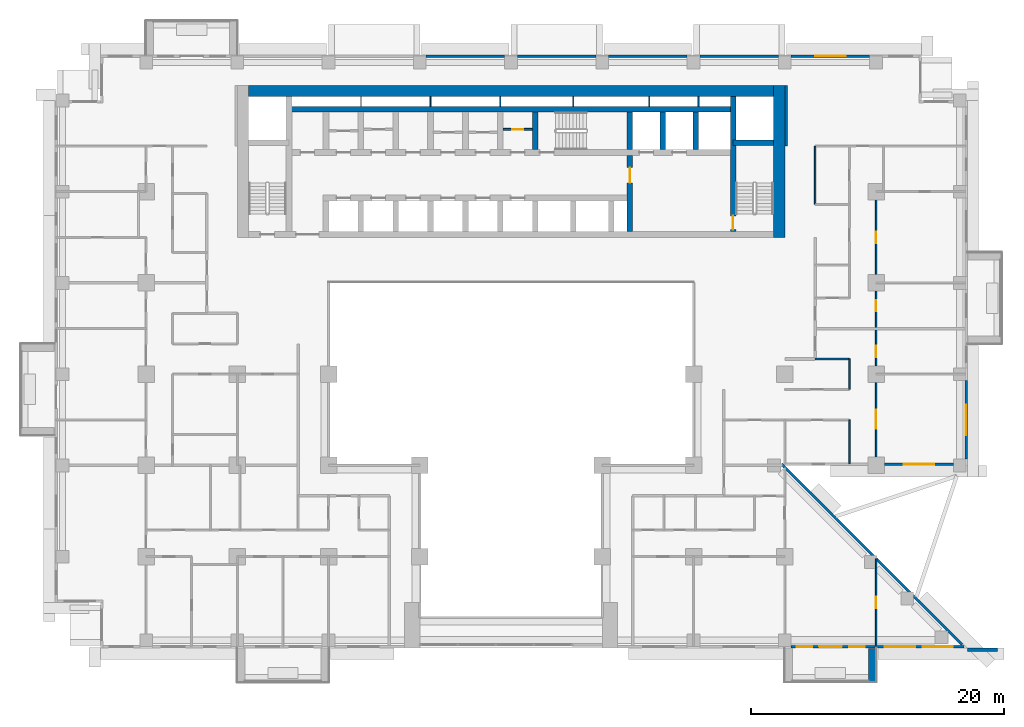
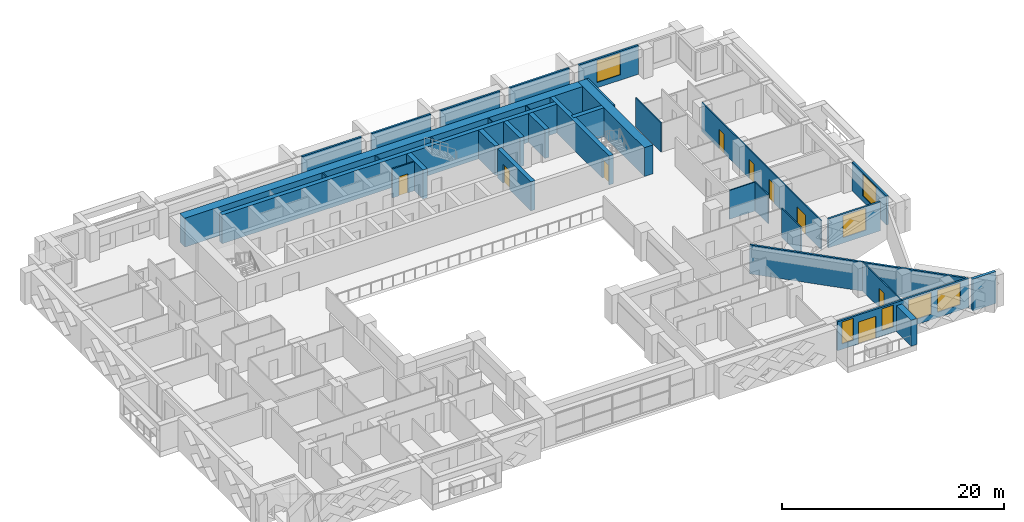
# One storey, part 11 of 16: 34 walls, 9 doors, 7 windows, 16 openings.
"""IFC4 building model written with IfcOpenShell, lengths in metres."""

from ifc_helpers import new_model, si_unit, direction, frame, frame_2d, origin, place, context, subcontext, project, spatial, rectangle, extrude, material, layer, layer_set, type_object, element, fill, save


model = new_model("IFC4")

# Units and contexts
model_context = context("Model", 3, precision=1e-05, world=origin(), true_north=direction((0.0, 1.0)))
body_context = subcontext(model_context, "Body", "Model", "MODEL_VIEW")
ifc_project = project(units=[si_unit("LENGTHUNIT", "METRE"), si_unit("AREAUNIT", "SQUARE_METRE"), si_unit("VOLUMEUNIT", "CUBIC_METRE"), si_unit("PLANEANGLEUNIT", "RADIAN"), si_unit("MASSUNIT", "GRAM", prefix="KILO")], contexts=[model_context])

# Site, building, storey
site_placement = place(None, origin())
site = spatial("IfcSite", under=ifc_project, at=site_placement, CompositionType="ELEMENT")
building_placement = place(site_placement, origin())
building = spatial("IfcBuilding", under=site, at=building_placement, Name="Saffron Iwan Residences", CompositionType="ELEMENT")
storey_placement = place(building_placement, frame((0.0, 0.0, 83.0)))
storey = spatial("IfcBuildingStorey", under=building, at=storey_placement, Name="L21", CompositionType="ELEMENT", Elevation=83.0)

# Wall
ifc_material_1 = material(Name="Concrete C50/60 white painted", Category="concrete")
ifc_layer_1 = layer(ifc_material_1, 0.60009765625)
ifc_layer_set_1 = layer_set([ifc_layer_1], Name="Concrete C50/60 white painted")
wall_type_1 = type_object("IfcWallType", Name="BALCONY FIN 600", PredefinedType="SOLIDWALL", material=ifc_layer_set_1)
wall_1_placement = place(storey_placement, frame((78.89990234375, 33.550048828125, 0.0), z_axis=(0.0, 0.0, 1.0), x_axis=(0.0, -1.0, 0.0)))
element("IfcWall", 1, at=wall_1_placement, inside=storey, type_object=wall_type_1, Name="Balcony fin L21 11-1b", PredefinedType="SOLIDWALL", context=body_context, shape_type="SweptSolid", body=[
    extrude(rectangle(XDim=2.650146484375, YDim=0.60009765625, at=frame_2d((1.3251953125, 0.0))), origin(), (0.0, 0.0, 1.0), 2.85009765625),
])

# Wall, opening, door
ifc_material_2 = material(Name="Fire-rated plasterboard partition")
ifc_layer_2 = layer(ifc_material_2, 0.14990234375)
ifc_layer_set_2 = layer_set([ifc_layer_2], Name="Fire-rated plasterboard partition")
wall_type_2 = type_object("IfcWallType", Name="Core partition 150", PredefinedType="PARTITIONING", material=ifc_layer_set_2)
wall_2_placement = place(storey_placement, frame((49.77490234375, 74.51806640625, 0.0), z_axis=(0.0, 0.0, 1.0), x_axis=(1.0, 0.0, 0.0)))
wall_2 = element("IfcWall", 2, at=wall_2_placement, inside=storey, type_object=wall_type_2, Name="Core partition P05", PredefinedType="PARTITIONING", context=body_context, shape_type="SweptSolid", body=[
    extrude(rectangle(XDim=2.300048828125, YDim=0.14990234375, at=frame_2d((1.14990234375, 0.0))), origin(), (0.0, 0.0, 1.0), 3.179931640625),
])
opening_1_placement = place(wall_2_placement, frame((0.699951171875, 0.0, 0.0)))
opening_1 = element("IfcOpeningElement", 3, at=opening_1_placement, cuts=wall_2, Name="Opening SB", PredefinedType="OPENING", context=body_context, shape_type="SweptSolid", body=[
    extrude(rectangle(XDim=0.89990234375, YDim=2.10009765625, at=frame_2d((0.449951171875, 1.050048828125))), frame((0.0, 0.0849609375, 0.0), z_axis=(0.0, -1.0, 0.0), x_axis=(1.0, 0.0, 0.0)), (0.0, 0.0, 1.0), 0.169921875),
])
ifc_material_3 = material(Name="Steel fire door", Category="steel")
door_type_1 = type_object("IfcDoorType", Name="Store door 900", OperationType="NOTDEFINED", PredefinedType="DOOR", material=ifc_material_3)
door_1_placement = place(opening_1_placement, origin())
door_1 = element("IfcDoor", 4, at=door_1_placement, inside=storey, type_object=door_type_1, Name="Door Tool store", OperationType="SINGLE_SWING_LEFT", OverallHeight=2.10009765625, OverallWidth=0.89990234375, PredefinedType="DOOR", context=body_context, shape_type="SweptSolid", body=[
    extrude(rectangle(XDim=0.89990234375, YDim=2.10009765625, at=frame_2d((0.449951171875, 1.050048828125))), frame((0.0, 0.02490234375, 0.0), z_axis=(0.0, -1.0, 0.0), x_axis=(1.0, 0.0, 0.0)), (0.0, 0.0, 1.0), 0.050048828125),
])
fill(opening_1, door_1)

# Wall
ifc_material_4 = material(Name="Concrete C40/50", Category="concrete")
ifc_layer_3 = layer(ifc_material_4, 0.199951171875)
ifc_layer_set_3 = layer_set([ifc_layer_3], Name="Concrete C40/50")
wall_type_3 = type_object("IfcWallType", Name="EXTERNAL WALL 200", PredefinedType="SOLIDWALL", material=ifc_layer_set_3)
wall_3_placement = place(storey_placement, frame((85.995849609375, 33.862548828125, 0.0), z_axis=(0.0, 0.0, 1.0), x_axis=(-0.707100718496, 0.707112843825, 0.0)))
element("IfcWall", 5, at=wall_3_placement, inside=storey, type_object=wall_type_3, Name="External wall L21 F0.0", PredefinedType="SOLIDWALL", context=body_context, shape_type="SweptSolid", body=[
    extrude(rectangle(XDim=20.134765625, YDim=0.199951171875, at=frame_2d((10.0673828125, 0.0))), origin(), (0.0, 0.0, 1.0), 3.179931640625),
])

# Wall, opening, window
wall_4_placement = place(storey_placement, frame((79.85009765625, 48.10009765625, 0.0), z_axis=(0.0, 0.0, 1.0), x_axis=(1.0, 0.0, 0.0)))
wall_4 = element("IfcWall", 6, at=wall_4_placement, inside=storey, type_object=wall_type_3, Name="External wall L21 F1.1", PredefinedType="SOLIDWALL", context=body_context, shape_type="SweptSolid", body=[
    extrude(rectangle(XDim=5.449951171875, YDim=0.199951171875, at=frame_2d((2.72509765625, 0.0))), origin(), (0.0, 0.0, 1.0), 3.179931640625),
])
opening_2_placement = place(wall_4_placement, frame((1.52490234375, 0.0, 0.60009765625)))
opening_2 = element("IfcOpeningElement", 7, at=opening_2_placement, cuts=wall_4, Name="Opening W1", PredefinedType="OPENING", context=body_context, shape_type="SweptSolid", body=[
    extrude(rectangle(XDim=2.39990234375, YDim=2.39990234375, at=frame_2d((1.199951171875, 1.199951171875))), frame((0.0, 0.10986328125, 0.0), z_axis=(0.0, -1.0, 0.0), x_axis=(1.0, 0.0, 0.0)), (0.0, 0.0, 1.0), 0.219970703125),
])
ifc_material_5 = material(Name="Clear glass, laminated double glazed", Category="glass")
window_type_1 = type_object("IfcWindowType", Name="WINDOW 2400 x 2400", PartitioningType="DOUBLE_PANEL_VERTICAL", PredefinedType="WINDOW", material=ifc_material_5)
window_1_placement = place(opening_2_placement, origin())
window_1 = element("IfcWindow", 8, at=window_1_placement, inside=storey, type_object=window_type_1, Name="Window L21 F1.0", OverallHeight=2.39990234375, OverallWidth=2.39990234375, PartitioningType="DOUBLE_PANEL_VERTICAL", PredefinedType="WINDOW", context=body_context, shape_type="SweptSolid", body=[
    extrude(rectangle(XDim=2.39990234375, YDim=2.39990234375, at=frame_2d((1.199951171875, 1.199951171875))), frame((0.0, 0.030029296875, 0.0), z_axis=(0.0, -1.0, 0.0), x_axis=(1.0, 0.0, 0.0)), (0.0, 0.0, 1.0), 0.06005859375),
])
fill(opening_2, window_1)

wall_5_placement = place(storey_placement, frame((86.300048828125, 48.5, 0.0), z_axis=(0.0, 0.0, 1.0), x_axis=(0.0, 1.0, 0.0)))
wall_5 = element("IfcWall", 9, at=wall_5_placement, inside=storey, type_object=wall_type_3, Name="External wall L21 F2.0", PredefinedType="SOLIDWALL", context=body_context, shape_type="SweptSolid", body=[
    extrude(rectangle(XDim=6.199951171875, YDim=0.199951171875, at=frame_2d((3.10009765625, 0.0))), origin(), (0.0, 0.0, 1.0), 3.179931640625),
])
opening_3_placement = place(wall_5_placement, frame((1.89990234375, 0.0, 0.60009765625)))
opening_3 = element("IfcOpeningElement", 10, at=opening_3_placement, cuts=wall_5, Name="Opening W1", PredefinedType="OPENING", context=body_context, shape_type="SweptSolid", body=[
    extrude(rectangle(XDim=2.39990234375, YDim=2.39990234375, at=frame_2d((1.199951171875, 1.199951171875))), frame((0.0, 0.10986328125, 0.0), z_axis=(0.0, -1.0, 0.0), x_axis=(1.0, 0.0, 0.0)), (0.0, 0.0, 1.0), 0.219970703125),
])
window_2_placement = place(opening_3_placement, origin())
window_2 = element("IfcWindow", 11, at=window_2_placement, inside=storey, type_object=window_type_1, Name="Window L21 F2.0", OverallHeight=2.39990234375, OverallWidth=2.39990234375, PartitioningType="DOUBLE_PANEL_VERTICAL", PredefinedType="WINDOW", context=body_context, shape_type="SweptSolid", body=[
    extrude(rectangle(XDim=2.39990234375, YDim=2.39990234375, at=frame_2d((1.199951171875, 1.199951171875))), frame((0.0, 0.030029296875, 0.0), z_axis=(0.0, -1.0, 0.0), x_axis=(1.0, 0.0, 0.0)), (0.0, 0.0, 1.0), 0.06005859375),
])
fill(opening_3, window_2)

wall_6_placement = place(storey_placement, frame((78.699951171875, 80.300048828125, 0.0), z_axis=(0.0, 0.0, 1.0), x_axis=(-1.0, 0.0, 0.0)))
wall_6 = element("IfcWall", 12, at=wall_6_placement, inside=storey, type_object=wall_type_3, Name="External wall L21 F5.1", PredefinedType="SOLIDWALL", context=body_context, shape_type="SweptSolid", body=[
    extrude(rectangle(XDim=6.199951171875, YDim=0.199951171875, at=frame_2d((3.10009765625, 0.0))), origin(), (0.0, 0.0, 1.0), 3.179931640625),
])
opening_4_placement = place(wall_6_placement, frame((1.89990234375, 0.0, 0.60009765625)))
opening_4 = element("IfcOpeningElement", 13, at=opening_4_placement, cuts=wall_6, Name="Opening W1", PredefinedType="OPENING", context=body_context, shape_type="SweptSolid", body=[
    extrude(rectangle(XDim=2.39990234375, YDim=2.39990234375, at=frame_2d((1.199951171875, 1.199951171875))), frame((0.0, 0.10986328125, 0.0), z_axis=(0.0, -1.0, 0.0), x_axis=(1.0, 0.0, 0.0)), (0.0, 0.0, 1.0), 0.219970703125),
])
window_3_placement = place(opening_4_placement, origin())
window_3 = element("IfcWindow", 14, at=window_3_placement, inside=storey, type_object=window_type_1, Name="Window L21 F5.0", OverallHeight=2.39990234375, OverallWidth=2.39990234375, PartitioningType="DOUBLE_PANEL_VERTICAL", PredefinedType="WINDOW", context=body_context, shape_type="SweptSolid", body=[
    extrude(rectangle(XDim=2.39990234375, YDim=2.39990234375, at=frame_2d((1.199951171875, 1.199951171875))), frame((0.0, 0.030029296875, 0.0), z_axis=(0.0, -1.0, 0.0), x_axis=(1.0, 0.0, 0.0)), (0.0, 0.0, 1.0), 0.06005859375),
])
fill(opening_4, window_3)

# Walls
for number, where, z_axis, x_axis, name in (
    (15, (71.5, 80.300048828125, 0.0), (0.0, 0.0, 1.0), (-1.0, 0.0, 0.0), "External wall L21 F5.2"),
    (16, (64.300048828125, 80.300048828125, 0.0), (0.0, 0.0, 1.0), (-1.0, 0.0, 0.0), "External wall L21 F5.3"),
):
    element("IfcWall", number, at=place(storey_placement, frame(where, z_axis=z_axis, x_axis=x_axis)), inside=storey, type_object=wall_type_3, Name=name, PredefinedType="SOLIDWALL", context=body_context, shape_type="SweptSolid", body=[
        extrude(rectangle(XDim=6.199951171875, YDim=0.199951171875, at=frame_2d((3.10009765625, 0.0))), origin(), (0.0, 0.0, 1.0), 3.179931640625),
    ])
wall_7_placement = place(storey_placement, frame((57.10009765625, 80.300048828125, 0.0), z_axis=(0.0, 0.0, 1.0), x_axis=(-1.0, 0.0, 0.0)))
element("IfcWall", 17, at=wall_7_placement, inside=storey, type_object=wall_type_3, Name="External wall L21 F5.4", PredefinedType="SOLIDWALL", context=body_context, shape_type="SweptSolid", body=[
    extrude(rectangle(XDim=6.2001953125, YDim=0.199951171875, at=frame_2d((3.10009765625, 0.0))), origin(), (0.0, 0.0, 1.0), 3.179931640625),
])
wall_8_placement = place(storey_placement, frame((49.89990234375, 80.300048828125, 0.0), z_axis=(0.0, 0.0, 1.0), x_axis=(-1.0, 0.0, 0.0)))
element("IfcWall", 18, at=wall_8_placement, inside=storey, type_object=wall_type_3, Name="External wall L21 F5.5", PredefinedType="SOLIDWALL", context=body_context, shape_type="SweptSolid", body=[
    extrude(rectangle(XDim=6.199951171875, YDim=0.199951171875, at=frame_2d((3.10009765625, 0.0))), origin(), (0.0, 0.0, 1.0), 3.179931640625),
])

# Wall, openings, door, windows
wall_9_placement = place(storey_placement, frame((72.5, 33.699951171875, 0.0), z_axis=(0.0, 0.0, 1.0), x_axis=(1.0, 0.0, 0.0)))
wall_9 = element("IfcWall", 19, at=wall_9_placement, inside=storey, type_object=wall_type_3, Name="External wall L21 F11.6", PredefinedType="SOLIDWALL", context=body_context, shape_type="SweptSolid", body=[
    extrude(rectangle(XDim=13.65869140625, YDim=0.199951171875, at=frame_2d((6.829345703125, 0.0))), origin(), (0.0, 0.0, 1.0), 3.179931640625),
])
opening_5_placement = place(wall_9_placement, frame((2.199951171875, 0.0, 0.0)))
opening_5 = element("IfcOpeningElement", 20, at=opening_5_placement, cuts=wall_9, Name="Opening BD1", PredefinedType="OPENING", context=body_context, shape_type="SweptSolid", body=[
    extrude(rectangle(XDim=1.800048828125, YDim=2.39990234375, at=frame_2d((0.89990234375, 1.199951171875))), frame((0.0, 0.10986328125, 0.0), z_axis=(0.0, -1.0, 0.0), x_axis=(1.0, 0.0, 0.0)), (0.0, 0.0, 1.0), 0.219970703125),
])
opening_6_placement = place(wall_9_placement, frame((0.449951171875, 0.0, 0.60009765625)))
opening_6 = element("IfcOpeningElement", 21, at=opening_6_placement, cuts=wall_9, Name="Opening W3", PredefinedType="OPENING", context=body_context, shape_type="SweptSolid", body=[
    extrude(rectangle(XDim=1.199951171875, YDim=2.39990234375, at=frame_2d((0.60009765625, 1.199951171875))), frame((0.0, 0.10986328125, 0.0), z_axis=(0.0, -1.0, 0.0), x_axis=(1.0, 0.0, 0.0)), (0.0, 0.0, 1.0), 0.219970703125),
])
opening_7_placement = place(wall_9_placement, frame((4.60009765625, 0.0, 0.60009765625)))
opening_7 = element("IfcOpeningElement", 22, at=opening_7_placement, cuts=wall_9, Name="Opening W3", PredefinedType="OPENING", context=body_context, shape_type="SweptSolid", body=[
    extrude(rectangle(XDim=1.199951171875, YDim=2.39990234375, at=frame_2d((0.60009765625, 1.199951171875))), frame((0.0, 0.10986328125, 0.0), z_axis=(0.0, -1.0, 0.0), x_axis=(1.0, 0.0, 0.0)), (0.0, 0.0, 1.0), 0.219970703125),
])
opening_8_placement = place(wall_9_placement, frame((7.38623046875, 0.0, 0.60009765625)))
opening_8 = element("IfcOpeningElement", 23, at=opening_8_placement, cuts=wall_9, Name="Opening W1", PredefinedType="OPENING", context=body_context, shape_type="SweptSolid", body=[
    extrude(rectangle(XDim=2.39990234375, YDim=2.39990234375, at=frame_2d((1.199951171875, 1.199951171875))), frame((0.0, 0.10986328125, 0.0), z_axis=(0.0, -1.0, 0.0), x_axis=(1.0, 0.0, 0.0)), (0.0, 0.0, 1.0), 0.219970703125),
])
opening_9_placement = place(wall_9_placement, frame((10.372314453125, 0.0, 0.60009765625)))
opening_9 = element("IfcOpeningElement", 24, at=opening_9_placement, cuts=wall_9, Name="Opening W1", PredefinedType="OPENING", context=body_context, shape_type="SweptSolid", body=[
    extrude(rectangle(XDim=2.39990234375, YDim=2.39990234375, at=frame_2d((1.199951171875, 1.199951171875))), frame((0.0, 0.10986328125, 0.0), z_axis=(0.0, -1.0, 0.0), x_axis=(1.0, 0.0, 0.0)), (0.0, 0.0, 1.0), 0.219970703125),
])
door_type_2 = type_object("IfcDoorType", Name="BALCONY DOOR 1800 x 2400", OperationType="DOUBLE_DOOR_SLIDING", PredefinedType="DOOR", material=ifc_material_5)
door_2_placement = place(opening_5_placement, origin())
door_2 = element("IfcDoor", 25, at=door_2_placement, inside=storey, type_object=door_type_2, Name="Balcony door L21 F11.0", OperationType="DOUBLE_DOOR_SLIDING", OverallHeight=2.39990234375, OverallWidth=1.800048828125, PredefinedType="DOOR", context=body_context, shape_type="SweptSolid", body=[
    extrude(rectangle(XDim=1.800048828125, YDim=2.39990234375, at=frame_2d((0.89990234375, 1.199951171875))), frame((0.0, 0.02490234375, 0.0), z_axis=(0.0, -1.0, 0.0), x_axis=(1.0, 0.0, 0.0)), (0.0, 0.0, 1.0), 0.050048828125),
])
fill(opening_5, door_2)
window_type_2 = type_object("IfcWindowType", Name="WINDOW 1200 x 2400", PartitioningType="SINGLE_PANEL", PredefinedType="WINDOW", material=ifc_material_5)
window_4_placement = place(opening_6_placement, origin())
window_4 = element("IfcWindow", 26, at=window_4_placement, inside=storey, type_object=window_type_2, Name="Window L21 F11.1", OverallHeight=2.39990234375, OverallWidth=1.199951171875, PartitioningType="SINGLE_PANEL", PredefinedType="WINDOW", context=body_context, shape_type="SweptSolid", body=[
    extrude(rectangle(XDim=1.199951171875, YDim=2.39990234375, at=frame_2d((0.60009765625, 1.199951171875))), frame((0.0, 0.030029296875, 0.0), z_axis=(0.0, -1.0, 0.0), x_axis=(1.0, 0.0, 0.0)), (0.0, 0.0, 1.0), 0.06005859375),
])
fill(opening_6, window_4)
window_5_placement = place(opening_7_placement, origin())
window_5 = element("IfcWindow", 27, at=window_5_placement, inside=storey, type_object=window_type_2, Name="Window L21 F11.2", OverallHeight=2.39990234375, OverallWidth=1.199951171875, PartitioningType="SINGLE_PANEL", PredefinedType="WINDOW", context=body_context, shape_type="SweptSolid", body=[
    extrude(rectangle(XDim=1.199951171875, YDim=2.39990234375, at=frame_2d((0.60009765625, 1.199951171875))), frame((0.0, 0.030029296875, 0.0), z_axis=(0.0, -1.0, 0.0), x_axis=(1.0, 0.0, 0.0)), (0.0, 0.0, 1.0), 0.06005859375),
])
fill(opening_7, window_5)
window_6_placement = place(opening_8_placement, origin())
window_6 = element("IfcWindow", 28, at=window_6_placement, inside=storey, type_object=window_type_1, Name="Window L21 F11.3", OverallHeight=2.39990234375, OverallWidth=2.39990234375, PartitioningType="DOUBLE_PANEL_VERTICAL", PredefinedType="WINDOW", context=body_context, shape_type="SweptSolid", body=[
    extrude(rectangle(XDim=2.39990234375, YDim=2.39990234375, at=frame_2d((1.199951171875, 1.199951171875))), frame((0.0, 0.030029296875, 0.0), z_axis=(0.0, -1.0, 0.0), x_axis=(1.0, 0.0, 0.0)), (0.0, 0.0, 1.0), 0.06005859375),
])
fill(opening_8, window_6)
window_7_placement = place(opening_9_placement, origin())
window_7 = element("IfcWindow", 29, at=window_7_placement, inside=storey, type_object=window_type_1, Name="Window L21 F11.4", OverallHeight=2.39990234375, OverallWidth=2.39990234375, PartitioningType="DOUBLE_PANEL_VERTICAL", PredefinedType="WINDOW", context=body_context, shape_type="SweptSolid", body=[
    extrude(rectangle(XDim=2.39990234375, YDim=2.39990234375, at=frame_2d((1.199951171875, 1.199951171875))), frame((0.0, 0.030029296875, 0.0), z_axis=(0.0, -1.0, 0.0), x_axis=(1.0, 0.0, 0.0)), (0.0, 0.0, 1.0), 0.06005859375),
])
fill(opening_9, window_7)

# Walls
ifc_material_6 = material(Name="Gypsum board partition")
ifc_layer_4 = layer(ifc_material_6, 0.1201171875)
ifc_layer_set_4 = layer_set([ifc_layer_4], Name="Gypsum board partition")
wall_type_4 = type_object("IfcWallType", Name="Flat partition 120", PredefinedType="PARTITIONING", material=ifc_layer_set_4)
wall_10_placement = place(storey_placement, frame((74.39990234375, 56.39990234375, 0.0), z_axis=(0.0, 0.0, 1.0), x_axis=(1.0, 0.0, 0.0)))
element("IfcWall", 30, at=wall_10_placement, inside=storey, type_object=wall_type_4, Name="W-L21-PART-h56.4-74.4", PredefinedType="PARTITIONING", context=body_context, shape_type="SweptSolid", body=[
    extrude(rectangle(XDim=2.7001953125, YDim=0.1201171875, at=frame_2d((1.35009765625, 0.0))), origin(), (0.0, 0.0, 1.0), 3.179931640625),
])
wall_11_placement = place(storey_placement, frame((74.39990234375, 68.60009765625, 0.0), z_axis=(0.0, 0.0, 1.0), x_axis=(0.0, 1.0, 0.0)))
element("IfcWall", 31, at=wall_11_placement, inside=storey, type_object=wall_type_4, Name="W-L21-PART-v74.4-68.6", PredefinedType="PARTITIONING", context=body_context, shape_type="SweptSolid", body=[
    extrude(rectangle(XDim=4.599853515625, YDim=0.1201171875, at=frame_2d((2.2998046875, 0.0))), origin(), (0.0, 0.0, 1.0), 3.179931640625),
])
wall_12_placement = place(storey_placement, frame((77.10009765625, 48.125, 0.0), z_axis=(0.0, 0.0, 1.0), x_axis=(0.0, 1.0, 0.0)))
element("IfcWall", 32, at=wall_12_placement, inside=storey, type_object=wall_type_4, Name="W-L21-PART-v77.1-48.125", PredefinedType="PARTITIONING", context=body_context, shape_type="SweptSolid", body=[
    extrude(rectangle(XDim=3.47509765625, YDim=0.1201171875, at=frame_2d((1.737548828125, 0.0))), origin(), (0.0, 0.0, 1.0), 3.179931640625),
])
wall_13_placement = place(storey_placement, frame((77.10009765625, 54.0, 0.0), z_axis=(0.0, 0.0, 1.0), x_axis=(0.0, 1.0, 0.0)))
element("IfcWall", 33, at=wall_13_placement, inside=storey, type_object=wall_type_4, Name="W-L21-PART-v77.1-54", PredefinedType="PARTITIONING", context=body_context, shape_type="SweptSolid", body=[
    extrude(rectangle(XDim=2.39990234375, YDim=0.1201171875, at=frame_2d((1.199951171875, 0.0))), origin(), (0.0, 0.0, 1.0), 3.179931640625),
])

# Wall, opening, door
wall_14_placement = place(storey_placement, frame((79.199951171875, 33.72509765625, 0.0), z_axis=(0.0, 0.0, 1.0), x_axis=(0.0, 1.0, 0.0)))
wall_14 = element("IfcWall", 34, at=wall_14_placement, inside=storey, type_object=wall_type_4, Name="W-L21-PART-v79.2-33.725", PredefinedType="PARTITIONING", context=body_context, shape_type="SweptSolid", body=[
    extrude(rectangle(XDim=6.89794921875, YDim=0.1201171875, at=frame_2d((3.448974609375, 0.0))), origin(), (0.0, 0.0, 1.0), 3.179931640625),
])
opening_10_placement = place(wall_14_placement, frame((2.9990234375, 0.0, 0.0)))
opening_10 = element("IfcOpeningElement", 35, at=opening_10_placement, cuts=wall_14, Name="Opening FD2", PredefinedType="OPENING", context=body_context, shape_type="SweptSolid", body=[
    extrude(rectangle(XDim=0.89990234375, YDim=2.10009765625, at=frame_2d((0.449951171875, 1.050048828125))), frame((0.0, 0.070068359375, 0.0), z_axis=(0.0, -1.0, 0.0), x_axis=(1.0, 0.0, 0.0)), (0.0, 0.0, 1.0), 0.14013671875),
])
ifc_material_7 = material(Name="Timber door", Category="wood")
door_type_3 = type_object("IfcDoorType", Name="Flat door 900", OperationType="NOTDEFINED", PredefinedType="DOOR", material=ifc_material_7)
door_3_placement = place(opening_10_placement, origin())
door_3 = element("IfcDoor", 36, at=door_3_placement, inside=storey, type_object=door_type_3, Name="Door L21-050", OperationType="SINGLE_SWING_LEFT", OverallHeight=2.10009765625, OverallWidth=0.89990234375, PredefinedType="DOOR", context=body_context, shape_type="SweptSolid", body=[
    extrude(rectangle(XDim=0.89990234375, YDim=2.10009765625, at=frame_2d((0.449951171875, 1.050048828125))), frame((0.0, 0.02490234375, 0.0), z_axis=(0.0, -1.0, 0.0), x_axis=(1.0, 0.0, 0.0)), (0.0, 0.0, 1.0), 0.050048828125),
])
fill(opening_10, door_3)

# Wall, openings, doors
wall_15_placement = place(storey_placement, frame((79.199951171875, 48.125, 0.0), z_axis=(0.0, 0.0, 1.0), x_axis=(0.0, 1.0, 0.0)))
wall_15 = element("IfcWall", 37, at=wall_15_placement, inside=storey, type_object=wall_type_4, Name="W-L21-PART-v79.2-48.125", PredefinedType="PARTITIONING", context=body_context, shape_type="SweptSolid", body=[
    extrude(rectangle(XDim=21.47509765625, YDim=0.1201171875, at=frame_2d((10.737548828125, 0.0))), origin(), (0.0, 0.0, 1.0), 3.179931640625),
])
opening_11_placement = place(wall_15_placement, frame((2.78759765625, 0.0, 0.0)))
opening_11 = element("IfcOpeningElement", 38, at=opening_11_placement, cuts=wall_15, Name="Opening FD4", PredefinedType="OPENING", context=body_context, shape_type="SweptSolid", body=[
    extrude(rectangle(XDim=1.5, YDim=2.10009765625, at=frame_2d((0.75, 1.050048828125))), frame((0.0, 0.070068359375, 0.0), z_axis=(0.0, -1.0, 0.0), x_axis=(1.0, 0.0, 0.0)), (0.0, 0.0, 1.0), 0.14013671875),
])
opening_12_placement = place(wall_15_placement, frame((8.425048828125, 0.0, 0.0)))
opening_12 = element("IfcOpeningElement", 39, at=opening_12_placement, cuts=wall_15, Name="Opening FD2", PredefinedType="OPENING", context=body_context, shape_type="SweptSolid", body=[
    extrude(rectangle(XDim=0.89990234375, YDim=2.10009765625, at=frame_2d((0.449951171875, 1.050048828125))), frame((0.0, 0.070068359375, 0.0), z_axis=(0.0, -1.0, 0.0), x_axis=(1.0, 0.0, 0.0)), (0.0, 0.0, 1.0), 0.14013671875),
])
opening_13_placement = place(wall_15_placement, frame((12.02490234375, 0.0, 0.0)))
opening_13 = element("IfcOpeningElement", 40, at=opening_13_placement, cuts=wall_15, Name="Opening FD2", PredefinedType="OPENING", context=body_context, shape_type="SweptSolid", body=[
    extrude(rectangle(XDim=0.89990234375, YDim=2.10009765625, at=frame_2d((0.449951171875, 1.050048828125))), frame((0.0, 0.070068359375, 0.0), z_axis=(0.0, -1.0, 0.0), x_axis=(1.0, 0.0, 0.0)), (0.0, 0.0, 1.0), 0.14013671875),
])
opening_14_placement = place(wall_15_placement, frame((17.425048828125, 0.0, 0.0)))
opening_14 = element("IfcOpeningElement", 41, at=opening_14_placement, cuts=wall_15, Name="Opening FD2", PredefinedType="OPENING", context=body_context, shape_type="SweptSolid", body=[
    extrude(rectangle(XDim=0.89990234375, YDim=2.10009765625, at=frame_2d((0.449951171875, 1.050048828125))), frame((0.0, 0.070068359375, 0.0), z_axis=(0.0, -1.0, 0.0), x_axis=(1.0, 0.0, 0.0)), (0.0, 0.0, 1.0), 0.14013671875),
])
door_type_4 = type_object("IfcDoorType", Name="Double door 1500", OperationType="NOTDEFINED", PredefinedType="DOOR", material=ifc_material_7)
door_4_placement = place(opening_11_placement, origin())
door_4 = element("IfcDoor", 42, at=door_4_placement, inside=storey, type_object=door_type_4, Name="Door L21-022", OperationType="SINGLE_SWING_RIGHT", OverallHeight=2.10009765625, OverallWidth=1.5, PredefinedType="DOOR", context=body_context, shape_type="SweptSolid", body=[
    extrude(rectangle(XDim=1.5, YDim=2.10009765625, at=frame_2d((0.75, 1.050048828125))), frame((0.0, 0.02490234375, 0.0), z_axis=(0.0, -1.0, 0.0), x_axis=(1.0, 0.0, 0.0)), (0.0, 0.0, 1.0), 0.050048828125),
])
fill(opening_11, door_4)
door_5_placement = place(opening_12_placement, origin())
door_5 = element("IfcDoor", 43, at=door_5_placement, inside=storey, type_object=door_type_3, Name="Door L21-023", OperationType="SINGLE_SWING_LEFT", OverallHeight=2.10009765625, OverallWidth=0.89990234375, PredefinedType="DOOR", context=body_context, shape_type="SweptSolid", body=[
    extrude(rectangle(XDim=0.89990234375, YDim=2.10009765625, at=frame_2d((0.449951171875, 1.050048828125))), frame((0.0, 0.02490234375, 0.0), z_axis=(0.0, -1.0, 0.0), x_axis=(1.0, 0.0, 0.0)), (0.0, 0.0, 1.0), 0.050048828125),
])
fill(opening_12, door_5)
door_6_placement = place(opening_13_placement, origin())
door_6 = element("IfcDoor", 44, at=door_6_placement, inside=storey, type_object=door_type_3, Name="Door L21-035", OperationType="SINGLE_SWING_LEFT", OverallHeight=2.10009765625, OverallWidth=0.89990234375, PredefinedType="DOOR", context=body_context, shape_type="SweptSolid", body=[
    extrude(rectangle(XDim=0.89990234375, YDim=2.10009765625, at=frame_2d((0.449951171875, 1.050048828125))), frame((0.0, 0.02490234375, 0.0), z_axis=(0.0, -1.0, 0.0), x_axis=(1.0, 0.0, 0.0)), (0.0, 0.0, 1.0), 0.050048828125),
])
fill(opening_13, door_6)
door_7_placement = place(opening_14_placement, origin())
door_7 = element("IfcDoor", 45, at=door_7_placement, inside=storey, type_object=door_type_3, Name="Door L21-036", OperationType="SINGLE_SWING_LEFT", OverallHeight=2.10009765625, OverallWidth=0.89990234375, PredefinedType="DOOR", context=body_context, shape_type="SweptSolid", body=[
    extrude(rectangle(XDim=0.89990234375, YDim=2.10009765625, at=frame_2d((0.449951171875, 1.050048828125))), frame((0.0, 0.02490234375, 0.0), z_axis=(0.0, -1.0, 0.0), x_axis=(1.0, 0.0, 0.0)), (0.0, 0.0, 1.0), 0.050048828125),
])
fill(opening_14, door_7)

# Walls
ifc_material_8 = material(Name="Fire-rated gypsum board wall")
ifc_layer_5 = layer(ifc_material_8, 0.199951171875)
ifc_layer_set_5 = layer_set([ifc_layer_5], Name="Fire-rated gypsum board wall")
wall_type_5 = type_object("IfcWallType", Name="Gallery wall 200", PredefinedType="SOLIDWALL", material=ifc_layer_set_5)
wall_16_placement = place(storey_placement, frame((72.10009765625, 73.199951171875, 0.0), z_axis=(0.0, 0.0, 1.0), x_axis=(0.0, 1.0, 0.0)))
element("IfcWall", 46, at=wall_16_placement, inside=storey, type_object=wall_type_5, Name="W-L21-CORR-v72-73.2", PredefinedType="SOLIDWALL", context=body_context, shape_type="SweptSolid", body=[
    extrude(rectangle(XDim=4.800048828125, YDim=0.199951171875, at=frame_2d((2.39990234375, 0.0))), origin(), (0.0, 0.0, 1.0), 3.179931640625),
])
ifc_layer_6 = layer(ifc_material_1, 0.300048828125)
ifc_layer_set_6 = layer_set([ifc_layer_6], Name="Concrete C50/60 white painted")
wall_type_6 = type_object("IfcWallType", Name="PROW BLADE 300", PredefinedType="SOLIDWALL", material=ifc_layer_set_6)
wall_17_placement = place(storey_placement, frame((86.39990234375, 33.449951171875, -0.320068359375), z_axis=(0.0, 0.0, 1.0), x_axis=(1.0, 0.0, 0.0)))
element("IfcWall", 47, at=wall_17_placement, inside=storey, type_object=wall_type_6, Name="Prow blade L21", PredefinedType="SOLIDWALL", context=body_context, shape_type="SweptSolid", body=[
    extrude(rectangle(XDim=2.400146484375, YDim=0.300048828125, at=frame_2d((1.2001953125, 0.0))), origin(), (0.0, 0.0, 1.0), 3.5),
])
ifc_layer_7 = layer(ifc_material_2, 0.10009765625)
ifc_layer_set_7 = layer_set([ifc_layer_7], Name="Fire-rated plasterboard partition")
wall_type_7 = type_object("IfcWallType", Name="Riser partition 100", PredefinedType="PARTITIONING", material=ifc_layer_set_7)
for number, where, z_axis, x_axis, name in (
    (48, (44.050048828125, 76.324951171875, 0.0), (0.0, 0.0, 1.0), (0.0, 1.0, 0.0), "Core partition P07"),
    (49, (49.550048828125, 76.324951171875, 0.0), (0.0, 0.0, 1.0), (0.0, 1.0, 0.0), "Core partition P08"),
    (50, (55.300048828125, 76.324951171875, 0.0), (0.0, 0.0, 1.0), (0.0, 1.0, 0.0), "Core partition P09"),
    (51, (61.300048828125, 76.324951171875, 0.0), (0.0, 0.0, 1.0), (0.0, 1.0, 0.0), "Core partition P10"),
    (52, (65.199951171875, 76.324951171875, 0.0), (0.0, 0.0, 1.0), (0.0, 1.0, 0.0), "Core partition P11"),
):
    element("IfcWall", number, at=place(storey_placement, frame(where, z_axis=z_axis, x_axis=x_axis)), inside=storey, type_object=wall_type_7, Name=name, PredefinedType="PARTITIONING", context=body_context, shape_type="SweptSolid", body=[
        extrude(rectangle(XDim=0.775146484375, YDim=0.10009765625, at=frame_2d((0.3876953125, 0.0))), origin(), (0.0, 0.0, 1.0), 3.179931640625),
    ])
ifc_material_9 = material(Name="Concrete C60/75", Category="concrete")
ifc_layer_8 = layer(ifc_material_9, 0.449951171875)
ifc_layer_set_8 = layer_set([ifc_layer_8], Name="Concrete C60/75")
wall_type_8 = type_object("IfcWallType", Name="WALL CORE 450 C60/75 3180 HIGH", PredefinedType="SHEAR", material=ifc_layer_set_8)
wall_18_placement = place(storey_placement, frame((32.875, 76.10009765625, 0.0), z_axis=(0.0, 0.0, 1.0), x_axis=(1.0, 0.0, 0.0)))
element("IfcWall", 53, at=wall_18_placement, inside=storey, type_object=wall_type_8, Name="Core wall", PredefinedType="SHEAR", context=body_context, shape_type="SweptSolid", body=[
    extrude(rectangle(XDim=35.050048828125, YDim=0.449951171875, at=frame_2d((17.52490234375, 0.0))), origin(), (0.0, 0.0, 1.0), 3.179931640625),
])
wall_19_placement = place(storey_placement, frame((67.925048828125, 73.47509765625, 0.0), z_axis=(0.0, 0.0, 1.0), x_axis=(1.0, 0.0, 0.0)))
element("IfcWall", 54, at=wall_19_placement, inside=storey, type_object=wall_type_8, Name="Core wall", PredefinedType="SHEAR", context=body_context, shape_type="SweptSolid", body=[
    extrude(rectangle(XDim=3.175048828125, YDim=0.449951171875, at=frame_2d((1.58740234375, 0.0))), origin(), (0.0, 0.0, 1.0), 3.179931640625),
])

# Wall, opening, door
wall_20_placement = place(storey_placement, frame((67.925048828125, 66.449951171875, 0.0), z_axis=(0.0, 0.0, 1.0), x_axis=(0.0, 1.0, 0.0)))
wall_20 = element("IfcWall", 55, at=wall_20_placement, inside=storey, type_object=wall_type_8, Name="Core wall", PredefinedType="SHEAR", context=body_context, shape_type="SweptSolid", body=[
    extrude(rectangle(XDim=10.650146484375, YDim=0.449951171875, at=frame_2d((5.3251953125, 0.0))), origin(), (0.0, 0.0, 1.0), 3.179931640625),
])
opening_15_placement = place(wall_20_placement, frame((0.14990234375, 0.0, 0.0)))
opening_15 = element("IfcOpeningElement", 56, at=opening_15_placement, cuts=wall_20, Name="Opening SD", PredefinedType="OPENING", context=body_context, shape_type="SweptSolid", body=[
    extrude(rectangle(XDim=1.10009765625, YDim=2.10009765625, at=frame_2d((0.550048828125, 1.050048828125))), frame((0.0, 0.23486328125, 0.0), z_axis=(0.0, -1.0, 0.0), x_axis=(1.0, 0.0, 0.0)), (0.0, 0.0, 1.0), 0.469970703125),
])
door_type_5 = type_object("IfcDoorType", Name="Stair door 1100", OperationType="NOTDEFINED", PredefinedType="DOOR", material=ifc_material_3)
door_8_placement = place(opening_15_placement, origin())
door_8 = element("IfcDoor", 57, at=door_8_placement, inside=storey, type_object=door_type_5, Name="Stair door ST-E", OperationType="SINGLE_SWING_LEFT", OverallHeight=2.10009765625, OverallWidth=1.10009765625, PredefinedType="DOOR", context=body_context, shape_type="SweptSolid", body=[
    extrude(rectangle(XDim=1.10009765625, YDim=2.10009765625, at=frame_2d((0.550048828125, 1.050048828125))), frame((0.0, 0.02490234375, 0.0), z_axis=(0.0, -1.0, 0.0), x_axis=(1.0, 0.0, 0.0)), (0.0, 0.0, 1.0), 0.050048828125),
])
fill(opening_15, door_8)

wall_21_placement = place(storey_placement, frame((59.77490234375, 66.449951171875, 0.0), z_axis=(0.0, 0.0, 1.0), x_axis=(0.0, 1.0, 0.0)))
wall_21 = element("IfcWall", 58, at=wall_21_placement, inside=storey, type_object=wall_type_8, Name="Core wall", PredefinedType="SHEAR", context=body_context, shape_type="SweptSolid", body=[
    extrude(rectangle(XDim=6.025146484375, YDim=0.449951171875, at=frame_2d((3.0126953125, 0.0))), origin(), (0.0, 0.0, 1.0), 3.179931640625),
])
opening_16_placement = place(wall_21_placement, frame((3.85009765625, 0.0, 0.0)))
opening_16 = element("IfcOpeningElement", 59, at=opening_16_placement, cuts=wall_21, Name="Opening FD", PredefinedType="OPENING", context=body_context, shape_type="SweptSolid", body=[
    extrude(rectangle(XDim=1.199951171875, YDim=2.10009765625, at=frame_2d((0.60009765625, 1.050048828125))), frame((0.0, 0.23486328125, 0.0), z_axis=(0.0, -1.0, 0.0), x_axis=(1.0, 0.0, 0.0)), (0.0, 0.0, 1.0), 0.469970703125),
])
door_type_6 = type_object("IfcDoorType", Name="Firefighting lobby door 1200", OperationType="NOTDEFINED", PredefinedType="DOOR", material=ifc_material_3)
door_9_placement = place(opening_16_placement, origin())
door_9 = element("IfcDoor", 60, at=door_9_placement, inside=storey, type_object=door_type_6, Name="Firefighting lobby door", OperationType="SINGLE_SWING_RIGHT", OverallHeight=2.10009765625, OverallWidth=1.199951171875, PredefinedType="DOOR", context=body_context, shape_type="SweptSolid", body=[
    extrude(rectangle(XDim=1.199951171875, YDim=2.10009765625, at=frame_2d((0.60009765625, 1.050048828125))), frame((0.0, 0.02490234375, 0.0), z_axis=(0.0, -1.0, 0.0), x_axis=(1.0, 0.0, 0.0)), (0.0, 0.0, 1.0), 0.050048828125),
])
fill(opening_16, door_9)

# Walls
for number, where, z_axis, x_axis, name in (
    (61, (59.77490234375, 72.925048828125, 0.0), (0.0, 0.0, 1.0), (0.0, 1.0, 0.0), "Core wall"),
    (62, (52.300048828125, 72.925048828125, 0.0), (0.0, 0.0, 1.0), (0.0, 1.0, 0.0), "Core wall"),
    (63, (62.375, 72.925048828125, 0.0), (0.0, 0.0, 1.0), (0.0, 1.0, 0.0), "Core wall"),
    (64, (64.97509765625, 72.925048828125, 0.0), (0.0, 0.0, 1.0), (0.0, 1.0, 0.0), "Core wall"),
):
    element("IfcWall", number, at=place(storey_placement, frame(where, z_axis=z_axis, x_axis=x_axis)), inside=storey, type_object=wall_type_8, Name=name, PredefinedType="SHEAR", context=body_context, shape_type="SweptSolid", body=[
        extrude(rectangle(XDim=2.949951171875, YDim=0.449951171875, at=frame_2d((1.47509765625, 0.0))), origin(), (0.0, 0.0, 1.0), 3.179931640625),
    ])
ifc_layer_9 = layer(ifc_material_9, 0.89990234375)
ifc_layer_set_9 = layer_set([ifc_layer_9], Name="Concrete C60/75")
wall_type_9 = type_object("IfcWallType", Name="WALL CORE 900 C60/75 3180 HIGH", PredefinedType="SHEAR", material=ifc_layer_set_9)
wall_22_placement = place(storey_placement, frame((71.550048828125, 66.0, 0.0), z_axis=(0.0, 0.0, 1.0), x_axis=(0.0, 1.0, 0.0)))
element("IfcWall", 65, at=wall_22_placement, inside=storey, type_object=wall_type_9, Name="Core wall", PredefinedType="SHEAR", context=body_context, shape_type="SweptSolid", body=[
    extrude(rectangle(XDim=12.0, YDim=0.89990234375, at=frame_2d((6.0, 0.0))), origin(), (0.0, 0.0, 1.0), 3.179931640625),
])
wall_23_placement = place(storey_placement, frame((29.699951171875, 77.550048828125, 0.0), z_axis=(0.0, 0.0, 1.0), x_axis=(1.0, 0.0, 0.0)))
element("IfcWall", 66, at=wall_23_placement, inside=storey, type_object=wall_type_9, Name="Core wall", PredefinedType="SHEAR", context=body_context, shape_type="SweptSolid", body=[
    extrude(rectangle(XDim=41.400146484375, YDim=0.89990234375, at=frame_2d((20.7001953125, 0.0))), origin(), (0.0, 0.0, 1.0), 3.179931640625),
])

save(model, "model.ifc")
